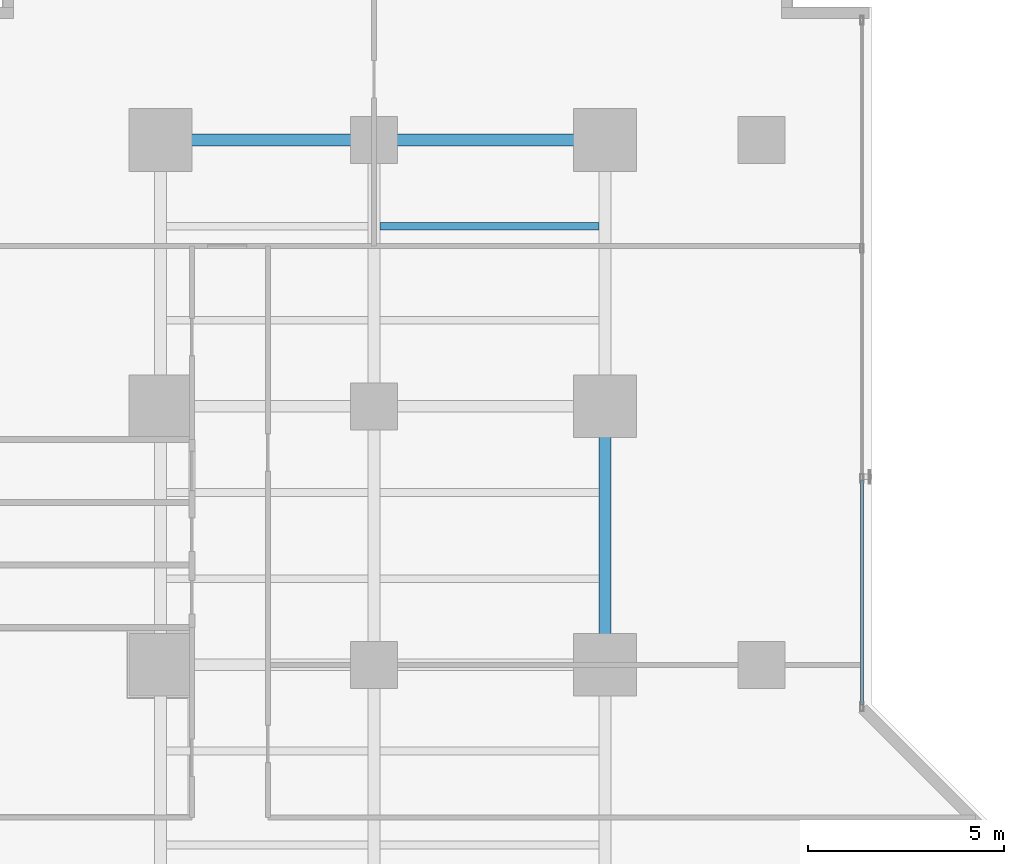
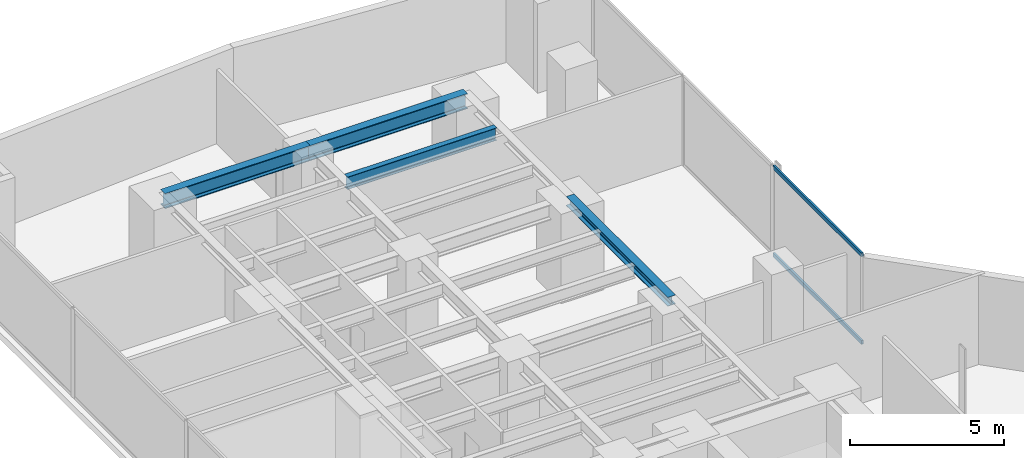
# One storey, part 18 of 30: 4 beams, 2 members, 1 element without a shape of its own.
"""IFC4 building model written with IfcOpenShell, lengths in metres."""

from ifc_helpers import new_model, si_unit, direction, frame, origin, origin_with_axes, origin_2d, place, context, subcontext, project, spatial, hollow_rectangle, i_section, extrude, source, transform, mapped, material, layer, layer_set, material_profile, profile_set, type_object, element, aggregate, save


model = new_model("IFC4")

# Units and contexts
model_context = context("Model", 3, precision=1e-05, world=origin(), true_north=direction((0.0, 1.0)))
body_context = subcontext(model_context, "Body", "Model", "MODEL_VIEW")
ifc_project = project(units=[si_unit("LENGTHUNIT", "METRE"), si_unit("AREAUNIT", "SQUARE_METRE"), si_unit("VOLUMEUNIT", "CUBIC_METRE"), si_unit("PLANEANGLEUNIT", "RADIAN"), si_unit("MASSUNIT", "GRAM", prefix="KILO")], contexts=[model_context])

# Site, building, storey
site_placement = place(None, origin())
site = spatial("IfcSite", under=ifc_project, at=site_placement, CompositionType="ELEMENT")
building_placement = place(site_placement, origin())
building = spatial("IfcBuilding", under=site, at=building_placement, Name="Kolvaren Waterfront Exchange", CompositionType="ELEMENT")
storey_placement = place(building_placement, frame((0.0, 0.0, 71.39990234375)))
storey = spatial("IfcBuildingStorey", under=building, at=storey_placement, Name="L18", CompositionType="ELEMENT", Elevation=71.39990234375)

# Beams
ifc_material_1 = material(Name="Steel S355", Category="steel")
ifc_material_profile_1 = material_profile(ifc_material_1, i_section(OverallWidth=0.300048828125, OverallDepth=0.360107421875, WebThickness=0.012451171875, FlangeThickness=0.0224609375, FilletRadius=0.027099609375, at=origin_2d()), Name="HEB360")
ifc_profile_set_1 = profile_set([ifc_material_profile_1], Name="Steel S355")
beam_type_1 = type_object("IfcBeamType", Name="STR-BM-HEB360", PredefinedType="SPANDREL", material=ifc_profile_set_1)
beam_1_placement = place(storey_placement, frame((18.800048828125, 31.199951171875, 3.360107421875), z_axis=(0.0, 1.0, 0.0), x_axis=(-1.0, 0.0, 0.0)))
element("IfcBeam", 1, at=beam_1_placement, inside=storey, type_object=beam_type_1, Name="L18 north-arm edge beam 2", PredefinedType="SPANDREL", context=body_context, shape_type="SweptSolid", body=[
    extrude(i_section(OverallWidth=0.300048828125, OverallDepth=0.360107421875, WebThickness=0.012451171875, FlangeThickness=0.0224609375, FilletRadius=0.027099609375, at=origin_2d()), origin(), (0.0, 0.0, 1.0), 6.60009765625),
])
ifc_material_profile_2 = material_profile(ifc_material_1, i_section(OverallWidth=0.300048828125, OverallDepth=0.60009765625, WebThickness=0.015380859375, FlangeThickness=0.030029296875, FilletRadius=0.027099609375, at=origin_2d()), Name="HEB600")
ifc_profile_set_2 = profile_set([ifc_material_profile_2], Name="Steel S355")
beam_type_2 = type_object("IfcBeamType", Name="STR-BM-HEB600", PredefinedType="BEAM", material=ifc_profile_set_2)
beam_2_placement = place(storey_placement, frame((7.449951171875, 44.60009765625, 3.239990234375), z_axis=(1.0, 0.0, 0.0), x_axis=(0.0, 1.0, 0.0)))
element("IfcBeam", 2, at=beam_2_placement, inside=storey, type_object=beam_type_2, Name="L18 north-arm girder 4A", PredefinedType="BEAM", context=body_context, shape_type="SweptSolid", body=[
    extrude(i_section(OverallWidth=0.300048828125, OverallDepth=0.60009765625, WebThickness=0.015380859375, FlangeThickness=0.030029296875, FilletRadius=0.027099609375, at=origin_2d()), origin(), (0.0, 0.0, 1.0), 5.449951171875),
])
beam_3_placement = place(storey_placement, frame((12.89990234375, 44.60009765625, 3.239990234375), z_axis=(1.0, 0.0, 0.0), x_axis=(0.0, 1.0, 0.0)))
element("IfcBeam", 3, at=beam_3_placement, inside=storey, type_object=beam_type_2, Name="L18 north-arm girder 4B", PredefinedType="BEAM", context=body_context, shape_type="SweptSolid", body=[
    extrude(i_section(OverallWidth=0.300048828125, OverallDepth=0.60009765625, WebThickness=0.015380859375, FlangeThickness=0.030029296875, FilletRadius=0.027099609375, at=origin_2d()), origin(), (0.0, 0.0, 1.0), 5.900146484375),
])
ifc_material_profile_3 = material_profile(ifc_material_1, i_section(OverallWidth=0.199951171875, OverallDepth=0.5, WebThickness=0.01025390625, FlangeThickness=0.01611328125, FilletRadius=0.02099609375, at=origin_2d()), Name="IPE500")
ifc_profile_set_3 = profile_set([ifc_material_profile_3], Name="Steel S355")
beam_type_3 = type_object("IfcBeamType", Name="STR-BM-IPE500", PredefinedType="JOIST", material=ifc_profile_set_3)
beam_4_placement = place(storey_placement, frame((13.052001953125, 42.39990234375, 3.2900390625), z_axis=(1.0, 0.0, 0.0), x_axis=(0.0, 1.0, 0.0)))
element("IfcBeam", 4, at=beam_4_placement, inside=storey, type_object=beam_type_3, Name="L18 north-arm composite joist 6B", PredefinedType="JOIST", context=body_context, shape_type="SweptSolid", body=[
    extrude(i_section(OverallWidth=0.199951171875, OverallDepth=0.5, WebThickness=0.01025390625, FlangeThickness=0.01611328125, FilletRadius=0.02099609375, at=origin_2d()), origin(), (0.0, 0.0, 1.0), 5.595947265625),
])

# Curtain wall, members
ifc_material_2 = material(Name="Anodised bronze aluminium 6063-T6", Category="aluminium")
ifc_layer = layer(ifc_material_2, 0.219970703125, Name="Anodised bronze aluminium 6063-T6")
ifc_layer_set = layer_set([ifc_layer], Name="Anodised bronze aluminium 6063-T6")
curtain_wall_type = type_object("IfcCurtainWallType", Name="ARC-CW-SYS1", PredefinedType="USERDEFINED", material=ifc_layer_set)
curtain_wall_placement = place(storey_placement, origin())
curtain_wall = element("IfcCurtainWall", 5, at=curtain_wall_placement, inside=storey, type_object=curtain_wall_type, Name="L18 stick curtain wall CW1 (CW-L18-NE)", ObjectType="STICK CURTAIN WALL", PredefinedType="USERDEFINED")
ifc_material_3 = material(Name="Anodised aluminium 6063-T6", Category="aluminium")
ifc_material_profile_4 = material_profile(ifc_material_3, hollow_rectangle(XDim=0.074951171875, YDim=0.159912109375, WallThickness=0.00439453125, at=origin_2d()), Name="ALU-TRN-160x75x4.5")
ifc_profile_set_4 = profile_set([ifc_material_profile_4], Name="Anodised aluminium 6063-T6")
member_type = type_object("IfcMemberType", Name="ARC-CWT-160", PredefinedType="USERDEFINED", material=ifc_profile_set_4)
shared_shape = source(origin_with_axes(), body_context, "Body", "SweptSolid", [
    extrude(hollow_rectangle(XDim=0.074951171875, YDim=0.159912109375, WallThickness=0.00439453125, at=origin_2d()), origin(), (0.0, 0.0, 1.0), 5.75),
])
member_1_placement = place(storey_placement, frame((25.360107421875, 30.169921875, 0.03759765625), z_axis=(0.0, 1.0, 0.0), x_axis=(-1.0, 0.0, 0.0)))
member_1 = element("IfcMember", 6, at=member_1_placement, type_object=member_type, Name="CW1 transom 1.1", ObjectType="TRANSOM", PredefinedType="USERDEFINED", context=body_context, shape_type="MappedRepresentation", body=[
    mapped(shared_shape, transform((0.0, 0.0, 0.0), x_axis=(1.0, 0.0, 0.0), y_axis=(0.0, 1.0, 0.0), z_axis=(0.0, 0.0, 1.0), scale=1.0)),
])
member_2_placement = place(storey_placement, frame((25.360107421875, 30.169921875, 3.502685546875), z_axis=(0.0, 1.0, 0.0), x_axis=(-1.0, 0.0, 0.0)))
member_2 = element("IfcMember", 7, at=member_2_placement, type_object=member_type, Name="CW1 transom 1.2", ObjectType="TRANSOM", PredefinedType="USERDEFINED", context=body_context, shape_type="MappedRepresentation", body=[
    mapped(shared_shape, transform((0.0, 0.0, 0.0), x_axis=(1.0, 0.0, 0.0), y_axis=(0.0, 1.0, 0.0), z_axis=(0.0, 0.0, 1.0), scale=1.0)),
])
aggregate(curtain_wall, [member_1, member_2])

save(model, "model.ifc")
